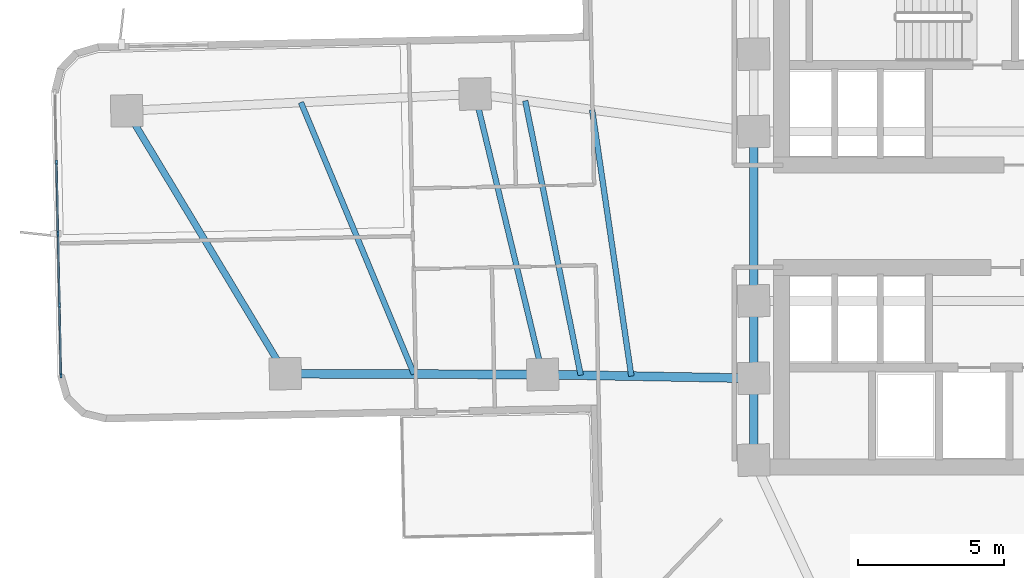
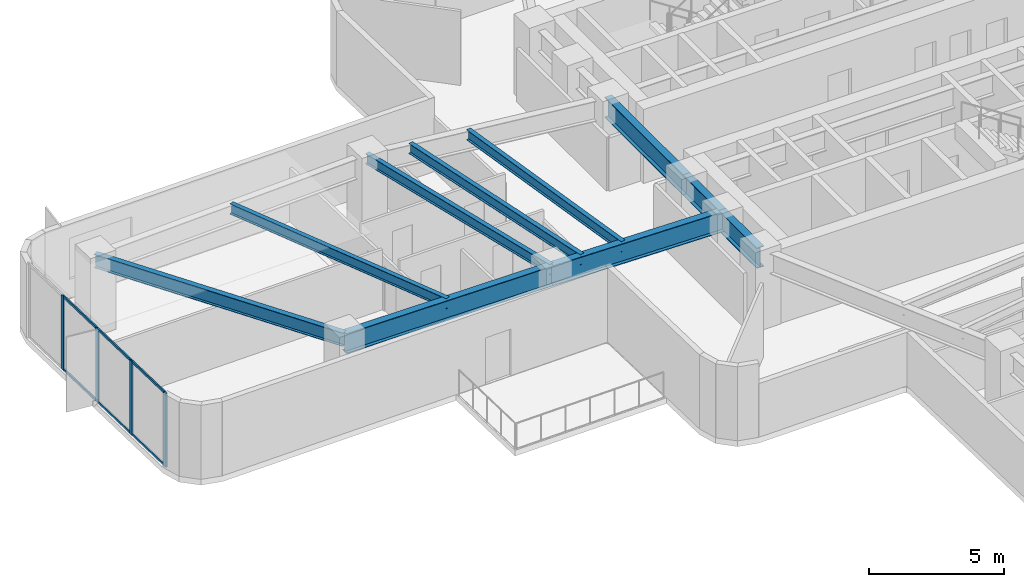
# One storey, part 2 of 15: 10 beams, 10 members, 1 element without a shape of its own.
"""IFC4 building model written with IfcOpenShell, lengths in metres."""

from ifc_helpers import new_model, si_unit, direction, frame, origin, origin_2d, place, context, subcontext, project, spatial, rectangle, i_section, extrude, material, layer, layer_set, material_profile, profile_set, type_object, element, aggregate, save


model = new_model("IFC4")

# Units and contexts
model_context = context("Model", 3, precision=1e-05, world=origin(), true_north=direction((0.0, 1.0)))
body_context = subcontext(model_context, "Body", "Model", "MODEL_VIEW")
ifc_project = project(units=[si_unit("LENGTHUNIT", "METRE"), si_unit("AREAUNIT", "SQUARE_METRE"), si_unit("VOLUMEUNIT", "CUBIC_METRE"), si_unit("PLANEANGLEUNIT", "RADIAN"), si_unit("MASSUNIT", "GRAM", prefix="KILO")], contexts=[model_context])

# Site, building, storey
site_placement = place(None, origin())
site = spatial("IfcSite", under=ifc_project, at=site_placement, CompositionType="ELEMENT")
building_placement = place(site_placement, origin())
building = spatial("IfcBuilding", under=site, at=building_placement, Name="Solmarez Civic Tower", CompositionType="ELEMENT")
storey_placement = place(building_placement, frame((0.0, 0.0, 38.8798828125)))
storey = spatial("IfcBuildingStorey", under=building, at=storey_placement, Name="L09", CompositionType="ELEMENT", Elevation=38.8798828125)

# Beams
ifc_material_1 = material(Name="Steel S355", Category="steel")
ifc_material_profile_1 = material_profile(ifc_material_1, i_section(OverallWidth=0.19189453125, OverallDepth=0.462890625, WebThickness=0.010498046875, FlangeThickness=0.017578125, at=origin_2d()), Name="W18X60")
ifc_profile_set_1 = profile_set([ifc_material_profile_1], Name="Steel S355")
beam_type_1 = type_object("IfcBeamType", Name="BM-JS-W18X60", PredefinedType="JOIST", material=ifc_profile_set_1)
beam_1_placement = place(storey_placement, frame((-18.39111328125, 4.18408203125, 3.109130859375), z_axis=(0.234328919867, -0.97215737271, 0.0), x_axis=(0.97215737271, 0.234328919867, 0.0)))
element("IfcBeam", 1, at=beam_1_placement, inside=storey, type_object=beam_type_1, Name="L09 Secondary Floor Joist BM-L09-WA-T1", PredefinedType="JOIST", context=body_context, shape_type="SweptSolid", body=[
    extrude(i_section(OverallWidth=0.19189453125, OverallDepth=0.462890625, WebThickness=0.010498046875, FlangeThickness=0.017578125, at=origin_2d()), origin(), (0.0, 0.0, 1.0), 9.880126953125),
])
beam_2_placement = place(storey_placement, frame((-24.35498046875, 3.89697265625, 3.109130859375), z_axis=(0.384310898391, -0.923203733408, 0.0), x_axis=(0.923203733408, 0.384310898391, 0.0)))
element("IfcBeam", 2, at=beam_2_placement, inside=storey, type_object=beam_type_1, Name="L09 Secondary Floor Joist JS-L09-WA-M2", PredefinedType="JOIST", context=body_context, shape_type="SweptSolid", body=[
    extrude(i_section(OverallWidth=0.19189453125, OverallDepth=0.462890625, WebThickness=0.010498046875, FlangeThickness=0.017578125, at=origin_2d()), origin(), (0.0, 0.0, 1.0), 10.077880859375),
])
beam_3_placement = place(storey_placement, frame((-14.384033203125, 3.64501953125, 3.109130859375), z_axis=(0.145687649447, -0.989330636743, 0.0), x_axis=(0.989330636743, 0.145687649447, 0.0)))
element("IfcBeam", 3, at=beam_3_placement, inside=storey, type_object=beam_type_1, Name="L09 Secondary Floor Joist JS-L09-WA-M11", PredefinedType="JOIST", context=body_context, shape_type="SweptSolid", body=[
    extrude(i_section(OverallWidth=0.19189453125, OverallDepth=0.462890625, WebThickness=0.010498046875, FlangeThickness=0.017578125, at=origin_2d()), origin(), (0.0, 0.0, 1.0), 9.218505859375),
])
beam_4_placement = place(storey_placement, frame((-16.674072265625, 3.952880859375, 3.109130859375), z_axis=(0.198099134772, -0.980181989634, 0.0), x_axis=(0.980181989634, 0.198099134772, 0.0)))
element("IfcBeam", 4, at=beam_4_placement, inside=storey, type_object=beam_type_1, Name="L09 Secondary Floor Joist JS-L09-WA-M12", PredefinedType="JOIST", context=body_context, shape_type="SweptSolid", body=[
    extrude(i_section(OverallWidth=0.19189453125, OverallDepth=0.462890625, WebThickness=0.010498046875, FlangeThickness=0.017578125, at=origin_2d()), origin(), (0.0, 0.0, 1.0), 9.5869140625),
])
ifc_material_profile_2 = material_profile(ifc_material_1, i_section(OverallWidth=0.303955078125, OverallDepth=0.910888671875, WebThickness=0.015869140625, FlangeThickness=0.02392578125, at=origin_2d()), Name="W36X150")
ifc_profile_set_2 = profile_set([ifc_material_profile_2], Name="Steel S355")
beam_type_2 = type_object("IfcBeamType", Name="BM-PR-W36X150", PredefinedType="BEAM", material=ifc_profile_set_2)
beam_5_placement = place(storey_placement, frame((-8.85009765625, -5.550048828125, 2.884033203125), z_axis=(-0.999840308455, 0.017870578882, 0.0), x_axis=(-0.017870578882, -0.999840308455, 0.0)))
element("IfcBeam", 5, at=beam_5_placement, inside=storey, type_object=beam_type_2, Name="L09 Primary Floor Beam BM-L09-WA-R1B", PredefinedType="BEAM", context=body_context, shape_type="SweptSolid", body=[
    extrude(i_section(OverallWidth=0.303955078125, OverallDepth=0.910888671875, WebThickness=0.015869140625, FlangeThickness=0.02392578125, at=origin_2d()), origin(), (0.0, 0.0, 1.0), 7.22705078125),
])
beam_6_placement = place(storey_placement, frame((-16.075927734375, -5.4208984375, 2.884033203125), z_axis=(-0.99999501223, 0.003158403928, 0.0), x_axis=(-0.003158403928, -0.99999501223, 0.0)))
element("IfcBeam", 6, at=beam_6_placement, inside=storey, type_object=beam_type_2, Name="L09 Primary Floor Beam BM-L09-WA-R2B", PredefinedType="BEAM", context=body_context, shape_type="SweptSolid", body=[
    extrude(i_section(OverallWidth=0.303955078125, OverallDepth=0.910888671875, WebThickness=0.015869140625, FlangeThickness=0.02392578125, at=origin_2d()), origin(), (0.0, 0.0, 1.0), 8.81201171875),
])
ifc_material_profile_3 = material_profile(ifc_material_1, i_section(OverallWidth=0.306884765625, OverallDepth=0.927001953125, WebThickness=0.019287109375, FlangeThickness=0.031982421875, at=origin_2d()), Name="W36X194")
ifc_profile_set_3 = profile_set([ifc_material_profile_3], Name="Steel S355")
beam_type_3 = type_object("IfcBeamType", Name="BM-PR-W36X194", PredefinedType="BEAM", material=ifc_profile_set_3)
beam_7_placement = place(storey_placement, frame((-8.85009765625, -8.35009765625, 2.876220703125), z_axis=(0.0, 1.0, 0.0), x_axis=(-1.0, 0.0, 0.0)))
element("IfcBeam", 7, at=beam_7_placement, inside=storey, type_object=beam_type_3, Name="L09 Primary Floor Beam BM-L09-HC12-HC1", PredefinedType="BEAM", context=body_context, shape_type="SweptSolid", body=[
    extrude(i_section(OverallWidth=0.306884765625, OverallDepth=0.927001953125, WebThickness=0.019287109375, FlangeThickness=0.031982421875, at=origin_2d()), origin(), (0.0, 0.0, 1.0), 2.800048828125),
])
beam_8_placement = place(storey_placement, frame((-8.85009765625, -5.550048828125, 2.876220703125), z_axis=(0.0, 1.0, 0.0), x_axis=(-1.0, 0.0, 0.0)))
element("IfcBeam", 8, at=beam_8_placement, inside=storey, type_object=beam_type_3, Name="L09 Primary Floor Beam BM-L09-HC1-HC2", PredefinedType="BEAM", context=body_context, shape_type="SweptSolid", body=[
    extrude(i_section(OverallWidth=0.306884765625, OverallDepth=0.927001953125, WebThickness=0.019287109375, FlangeThickness=0.031982421875, at=origin_2d()), origin(), (0.0, 0.0, 1.0), 2.650146484375),
])
beam_9_placement = place(storey_placement, frame((-8.85009765625, -2.89990234375, 2.876220703125), z_axis=(0.0, 1.0, 0.0), x_axis=(-1.0, 0.0, 0.0)))
element("IfcBeam", 9, at=beam_9_placement, inside=storey, type_object=beam_type_3, Name="L09 Primary Floor Beam BM-L09-HC2-HC3", PredefinedType="BEAM", context=body_context, shape_type="SweptSolid", body=[
    extrude(i_section(OverallWidth=0.306884765625, OverallDepth=0.927001953125, WebThickness=0.019287109375, FlangeThickness=0.031982421875, at=origin_2d()), origin(), (0.0, 0.0, 1.0), 5.7998046875),
])
ifc_material_profile_4 = material_profile(ifc_material_1, i_section(OverallWidth=0.22900390625, OverallDepth=0.612060546875, WebThickness=0.011962890625, FlangeThickness=0.01953125, at=origin_2d()), Name="W24X84")
ifc_profile_set_4 = profile_set([ifc_material_profile_4], Name="Steel S355")
beam_type_4 = type_object("IfcBeamType", Name="BM-SP-W24X84", PredefinedType="SPANDREL", material=ifc_profile_set_4)
beam_10_placement = place(storey_placement, frame((-30.318115234375, 3.60888671875, 3.0341796875), z_axis=(0.516522901024, -0.856273374991, 0.0), x_axis=(0.856273374991, 0.516522901024, 0.0)))
element("IfcBeam", 10, at=beam_10_placement, inside=storey, type_object=beam_type_4, Name="L09 Perimeter Spandrel Beam BM-L09-WA-T2", PredefinedType="SPANDREL", context=body_context, shape_type="SweptSolid", body=[
    extrude(i_section(OverallWidth=0.22900390625, OverallDepth=0.612060546875, WebThickness=0.011962890625, FlangeThickness=0.01953125, at=origin_2d()), origin(), (0.0, 0.0, 1.0), 10.512939453125),
])

# Curtain wall, members
ifc_material_2 = material(Name="Bronze Anodised Aluminium EN AW-6063 T6", Category="aluminium")
ifc_layer = layer(ifc_material_2, 0.155029296875)
ifc_layer_set = layer_set([ifc_layer], Name="Bronze Anodised Aluminium EN AW-6063 T6")
curtain_wall_type = type_object("IfcCurtainWallType", Name="CW-SYS-6", PredefinedType="NOTDEFINED", material=ifc_layer_set)
curtain_wall_placement = place(storey_placement, origin())
curtain_wall = element("IfcCurtainWall", 11, at=curtain_wall_placement, inside=storey, type_object=curtain_wall_type, Name="L09 Stick-Built Curtain Wall 1", PredefinedType="NOTDEFINED")
ifc_material_profile_5 = material_profile(ifc_material_2, rectangle(XDim=0.070068359375, YDim=0.179931640625, at=origin_2d()), Name="CWM-70X180")
ifc_profile_set_5 = profile_set([ifc_material_profile_5], Name="Bronze Anodised Aluminium EN AW-6063 T6")
member_type_1 = type_object("IfcMemberType", Name="CWM-TYPE-2", PredefinedType="MULLION", material=ifc_profile_set_5)
member_1_placement = place(storey_placement, frame((-32.57275390625, -5.4580078125, 0.0), z_axis=(0.0, 0.0, 1.0), x_axis=(-0.999780252813, -0.020962969398, 0.0)))
member_1 = element("IfcMember", 12, at=member_1_placement, type_object=member_type_1, Name="CWS6 mullion 1", PredefinedType="MULLION", context=body_context, shape_type="SweptSolid", body=[
    extrude(rectangle(XDim=0.070068359375, YDim=0.179931640625, at=origin_2d()), origin(), (0.0, 0.0, 1.0), 3.340087890625),
])
member_2_placement = place(storey_placement, frame((-32.623291015625, -3.048828125, 0.0), z_axis=(0.0, 0.0, 1.0), x_axis=(-0.999780252813, -0.020962969398, 0.0)))
member_2 = element("IfcMember", 13, at=member_2_placement, type_object=member_type_1, Name="CWS6 mullion 2", PredefinedType="MULLION", context=body_context, shape_type="SweptSolid", body=[
    extrude(rectangle(XDim=0.070068359375, YDim=0.179931640625, at=origin_2d()), origin(), (0.0, 0.0, 1.0), 3.340087890625),
])
member_3_placement = place(storey_placement, frame((-32.674560546875, -0.6044921875, 0.0), z_axis=(0.0, 0.0, 1.0), x_axis=(-0.999780252813, -0.020962969398, 0.0)))
member_3 = element("IfcMember", 14, at=member_3_placement, type_object=member_type_1, Name="CWS6 mullion 3", PredefinedType="MULLION", context=body_context, shape_type="SweptSolid", body=[
    extrude(rectangle(XDim=0.070068359375, YDim=0.179931640625, at=origin_2d()), origin(), (0.0, 0.0, 1.0), 3.340087890625),
])
member_4_placement = place(storey_placement, frame((-32.725830078125, 1.83984375, 0.0), z_axis=(0.0, 0.0, 1.0), x_axis=(-0.999780252813, -0.020962969398, 0.0)))
member_4 = element("IfcMember", 15, at=member_4_placement, type_object=member_type_1, Name="CWS6 mullion 4", PredefinedType="MULLION", context=body_context, shape_type="SweptSolid", body=[
    extrude(rectangle(XDim=0.070068359375, YDim=0.179931640625, at=origin_2d()), origin(), (0.0, 0.0, 1.0), 3.340087890625),
])
ifc_material_profile_6 = material_profile(ifc_material_2, rectangle(XDim=0.06005859375, YDim=0.110107421875, at=origin_2d()), Name="CWT-60X110")
ifc_profile_set_6 = profile_set([ifc_material_profile_6], Name="Bronze Anodised Aluminium EN AW-6063 T6")
member_type_2 = type_object("IfcMemberType", Name="CWT-TYPE-3", PredefinedType="USERDEFINED", material=ifc_profile_set_6)
member_5_placement = place(storey_placement, frame((-32.573486328125, -5.423095703125, 0.030029296875), z_axis=(-0.020972217891, 0.999780058851, 0.0), x_axis=(-0.999780058851, -0.020972217891, 0.0)))
member_5 = element("IfcMember", 16, at=member_5_placement, type_object=member_type_2, Name="CWS6 transom 1.1", ObjectType="TRANSOM", PredefinedType="USERDEFINED", context=body_context, shape_type="SweptSolid", body=[
    extrude(rectangle(XDim=0.06005859375, YDim=0.110107421875, at=origin_2d()), origin(), (0.0, 0.0, 1.0), 2.33984375),
])
member_6_placement = place(storey_placement, frame((-32.573486328125, -5.423095703125, 3.31005859375), z_axis=(-0.020972217891, 0.999780058851, 0.0), x_axis=(-0.999780058851, -0.020972217891, 0.0)))
member_6 = element("IfcMember", 17, at=member_6_placement, type_object=member_type_2, Name="CWS6 transom 1.2", ObjectType="TRANSOM", PredefinedType="USERDEFINED", context=body_context, shape_type="SweptSolid", body=[
    extrude(rectangle(XDim=0.06005859375, YDim=0.110107421875, at=origin_2d()), origin(), (0.0, 0.0, 1.0), 2.33984375),
])
member_7_placement = place(storey_placement, frame((-32.6240234375, -3.013671875, 0.030029296875), z_axis=(-0.020972250064, 0.999780058176, 0.0), x_axis=(-0.999780058176, -0.020972250064, 0.0)))
member_7 = element("IfcMember", 18, at=member_7_placement, type_object=member_type_2, Name="CWS6 transom 2.1", ObjectType="TRANSOM", PredefinedType="USERDEFINED", context=body_context, shape_type="SweptSolid", body=[
    extrude(rectangle(XDim=0.06005859375, YDim=0.110107421875, at=origin_2d()), origin(), (0.0, 0.0, 1.0), 2.374755859375),
])
member_8_placement = place(storey_placement, frame((-32.6240234375, -3.013671875, 3.31005859375), z_axis=(-0.020972250064, 0.999780058176, 0.0), x_axis=(-0.999780058176, -0.020972250064, 0.0)))
member_8 = element("IfcMember", 19, at=member_8_placement, type_object=member_type_2, Name="CWS6 transom 2.2", ObjectType="TRANSOM", PredefinedType="USERDEFINED", context=body_context, shape_type="SweptSolid", body=[
    extrude(rectangle(XDim=0.06005859375, YDim=0.110107421875, at=origin_2d()), origin(), (0.0, 0.0, 1.0), 2.374755859375),
])
member_9_placement = place(storey_placement, frame((-32.67529296875, -0.569580078125, 0.030029296875), z_axis=(-0.020972250064, 0.999780058176, 0.0), x_axis=(-0.999780058176, -0.020972250064, 0.0)))
member_9 = element("IfcMember", 20, at=member_9_placement, type_object=member_type_2, Name="CWS6 transom 3.1", ObjectType="TRANSOM", PredefinedType="USERDEFINED", context=body_context, shape_type="SweptSolid", body=[
    extrude(rectangle(XDim=0.06005859375, YDim=0.110107421875, at=origin_2d()), origin(), (0.0, 0.0, 1.0), 2.374755859375),
])
member_10_placement = place(storey_placement, frame((-32.67529296875, -0.569580078125, 3.31005859375), z_axis=(-0.020972250064, 0.999780058176, 0.0), x_axis=(-0.999780058176, -0.020972250064, 0.0)))
member_10 = element("IfcMember", 21, at=member_10_placement, type_object=member_type_2, Name="CWS6 transom 3.2", ObjectType="TRANSOM", PredefinedType="USERDEFINED", context=body_context, shape_type="SweptSolid", body=[
    extrude(rectangle(XDim=0.06005859375, YDim=0.110107421875, at=origin_2d()), origin(), (0.0, 0.0, 1.0), 2.374755859375),
])
aggregate(curtain_wall, [member_1, member_2, member_3, member_4, member_5, member_6, member_7, member_8, member_9, member_10])

save(model, "model.ifc")
